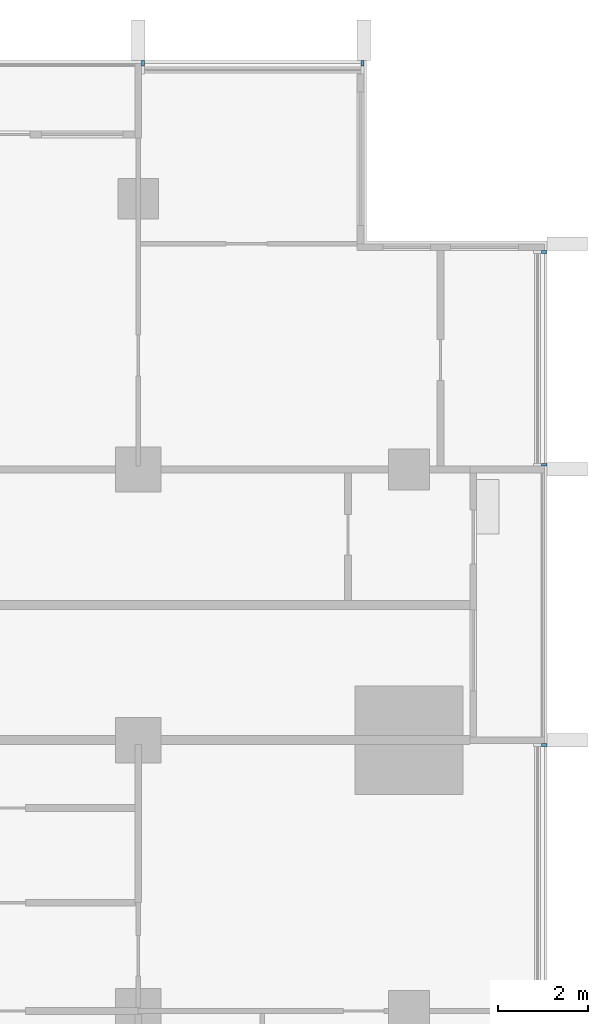
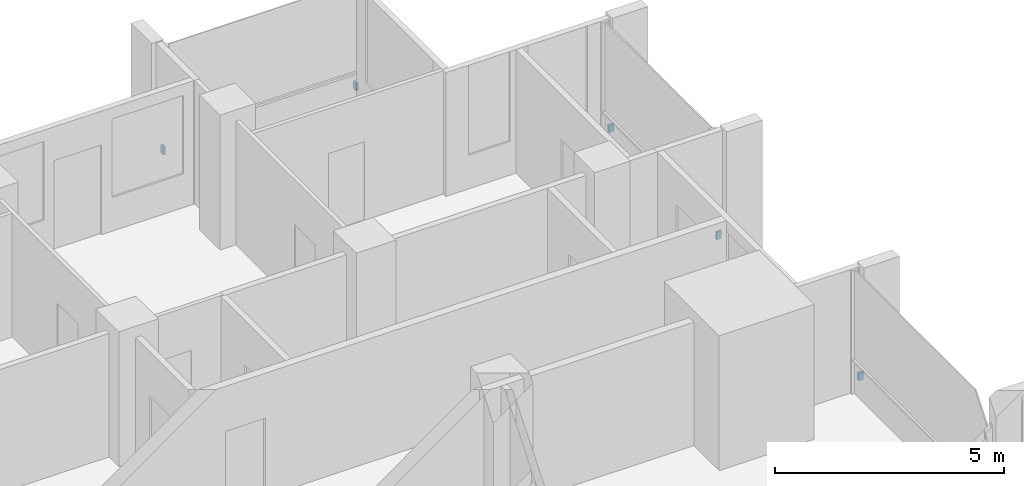
# One storey, part 15 of 16: 5 discrete accessories.
"""IFC4 building model written with IfcOpenShell, lengths in metres."""

from ifc_helpers import new_model, si_unit, direction, frame, origin, origin_2d, place, context, subcontext, project, spatial, rectangle, extrude, material, type_object, element, save


model = new_model("IFC4")

# Units and contexts
model_context = context("Model", 3, precision=1e-05, world=origin(), true_north=direction((0.0, 1.0)))
body_context = subcontext(model_context, "Body", "Model", "MODEL_VIEW")
ifc_project = project(units=[si_unit("LENGTHUNIT", "METRE"), si_unit("AREAUNIT", "SQUARE_METRE"), si_unit("VOLUMEUNIT", "CUBIC_METRE"), si_unit("PLANEANGLEUNIT", "RADIAN"), si_unit("MASSUNIT", "GRAM", prefix="KILO")], contexts=[model_context])

# Site, building, storey
site_placement = place(None, origin())
site = spatial("IfcSite", under=ifc_project, at=site_placement, CompositionType="ELEMENT")
building_placement = place(site_placement, origin())
building = spatial("IfcBuilding", under=site, at=building_placement, Name="Finial Court Residences", CompositionType="ELEMENT")
storey_placement = place(building_placement, frame((0.0, 0.0, 156.5)))
storey = spatial("IfcBuildingStorey", under=building, at=storey_placement, Name="L38", CompositionType="ELEMENT", Elevation=156.5)

# Discrete accessories
ifc_material = material(Name="Stainless steel 316", Category="steel")
discrete_accessory_type = type_object("IfcDiscreteAccessoryType", Name="Fin bracket, stainless steel 60 x 122 x 200", PredefinedType="BRACKET", material=ifc_material)
for number, where, z_axis, x_axis, name in (
    (1, (10.60498046875, 22.498779296875, 0.2998046875), (0.0, 0.0, 1.0), (1.0, 0.0, 0.0), "E-L38-FIN-N5-BRK"),
    (2, (15.469970703125, 22.498779296875, 0.2998046875), (0.0, 0.0, 1.0), (1.0, 0.0, 0.0), "E-L38-FIN-N6-BRK"),
):
    element("IfcDiscreteAccessory", number, at=place(storey_placement, frame(where, z_axis=z_axis, x_axis=x_axis)), inside=storey, type_object=discrete_accessory_type, Name=name, PredefinedType="BRACKET", context=body_context, shape_type="SweptSolid", body=[
        extrude(rectangle(XDim=0.06005859375, YDim=0.12255859375, at=origin_2d()), origin(), (0.0, 0.0, 1.0), 0.199951171875),
    ])
for number, where, z_axis, x_axis, name in (
    (3, (19.498779296875, 7.39501953125, 0.2998046875), (0.0, 0.0, 1.0), (1.0, 0.0, 0.0), "E-L38-FIN-E11-BRK"),
    (4, (19.498779296875, 13.60498046875, 0.2998046875), (0.0, 0.0, 1.0), (1.0, 0.0, 0.0), "E-L38-FIN-E12-BRK"),
    (5, (19.498779296875, 18.320068359375, 0.2998046875), (0.0, 0.0, 1.0), (1.0, 0.0, 0.0), "E-L38-FIN-E13-BRK"),
):
    element("IfcDiscreteAccessory", number, at=place(storey_placement, frame(where, z_axis=z_axis, x_axis=x_axis)), inside=storey, type_object=discrete_accessory_type, Name=name, PredefinedType="BRACKET", context=body_context, shape_type="SweptSolid", body=[
        extrude(rectangle(XDim=0.12255859375, YDim=0.06005859375, at=origin_2d()), origin(), (0.0, 0.0, 1.0), 0.199951171875),
    ])

save(model, "model.ifc")
